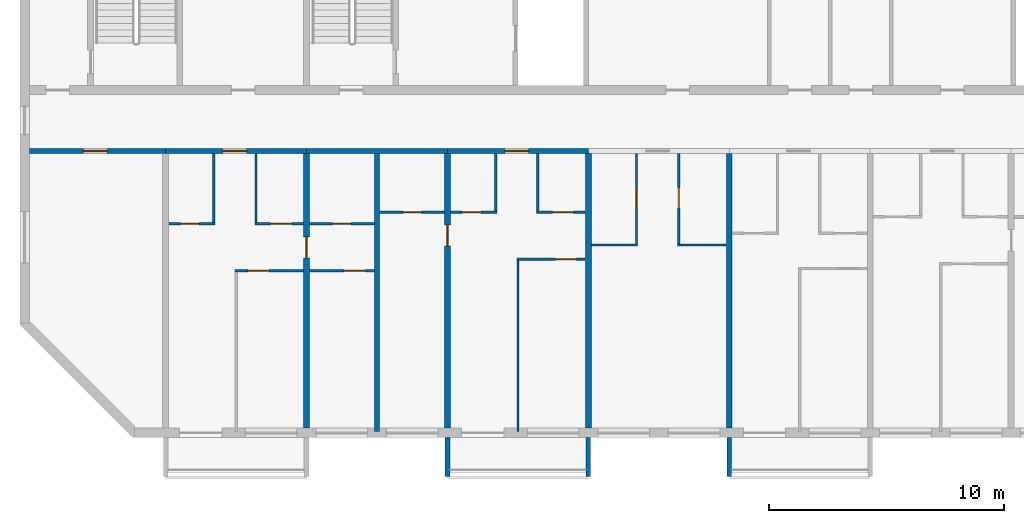
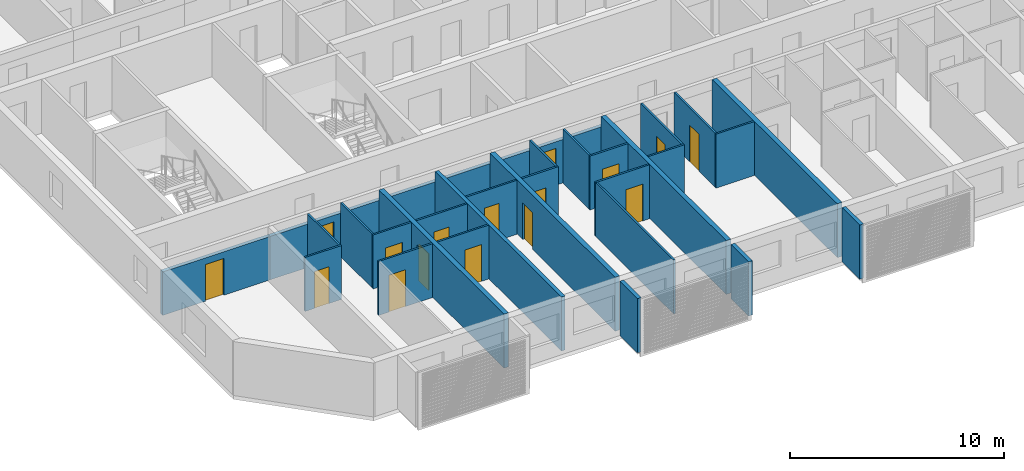
# One storey, part 2 of 27: 30 walls, 16 doors, 16 openings.
"""IFC4 building model written with IfcOpenShell, lengths in metres."""

from ifc_helpers import new_model, si_unit, direction, frame, frame_2d, origin, place, context, subcontext, project, spatial, polyline, rectangle, outline, extrude, source, transform, mapped, material, layer, layer_set, type_object, element, fill, save


model = new_model("IFC4")

# Units and contexts
model_context = context("Model", 3, precision=1e-05, world=origin(), true_north=direction((0.0, 1.0)))
body_context = subcontext(model_context, "Body", "Model", "MODEL_VIEW")
ifc_project = project(units=[si_unit("LENGTHUNIT", "METRE"), si_unit("AREAUNIT", "SQUARE_METRE"), si_unit("VOLUMEUNIT", "CUBIC_METRE"), si_unit("PLANEANGLEUNIT", "RADIAN"), si_unit("MASSUNIT", "GRAM", prefix="KILO")], contexts=[model_context])

# Site, building, storey
site_placement = place(None, origin())
site = spatial("IfcSite", under=ifc_project, at=site_placement, CompositionType="ELEMENT")
building_placement = place(site_placement, origin())
building = spatial("IfcBuilding", under=site, at=building_placement, Name="Poui Terraces", CompositionType="ELEMENT")
storey_placement = place(building_placement, frame((0.0, 0.0, 201.60009765625)))
storey = spatial("IfcBuildingStorey", under=building, at=storey_placement, Name="L56", CompositionType="ELEMENT", Elevation=201.60009765625)

# Wall, opening, door
ifc_material_1 = material(Name="Concrete 50 MPa", Category="concrete")
ifc_layer_1 = layer(ifc_material_1, 0.199951171875)
ifc_layer_set_1 = layer_set([ifc_layer_1], Name="Concrete 50 MPa")
wall_type_1 = type_object("IfcWallType", Name="CORRIDOR WALL 200 50MPa", PredefinedType="SHEAR", material=ifc_layer_set_1)
wall_1_placement = place(storey_placement, frame((18.199951171875, 12.0, 0.0), z_axis=(0.0, 0.0, 1.0), x_axis=(1.0, 0.0, 0.0)))
wall_1 = element("IfcWall", 1, at=wall_1_placement, inside=storey, type_object=wall_type_1, Name="CORRIDOR WALL LINE B BAY 1", PredefinedType="SHEAR", context=body_context, shape_type="SweptSolid", body=[
    extrude(rectangle(XDim=5.800048828125, YDim=0.199951171875, at=frame_2d((2.89990234375, 0.0))), origin(), (0.0, 0.0, 1.0), 2.47998046875),
])
opening_1_placement = place(wall_1_placement, frame((2.300048828125, 0.0, 0.0)))
opening_1 = element("IfcOpeningElement", 2, at=opening_1_placement, cuts=wall_1, Name="Opening D100", PredefinedType="OPENING", context=body_context, shape_type="SweptSolid", body=[
    extrude(rectangle(XDim=1.0, YDim=2.10009765625, at=frame_2d((0.5, 1.050048828125))), frame((0.0, 0.10986328125, 0.0), z_axis=(0.0, -1.0, 0.0), x_axis=(1.0, 0.0, 0.0)), (0.0, 0.0, 1.0), 0.219970703125),
])
ifc_material_2 = material(Name="Solid core timber door", Category="wood")
door_type_1 = type_object("IfcDoorType", Name="ACCESSIBLE INTERNAL DOOR 1000 X 2100", OperationType="NOTDEFINED", PredefinedType="DOOR", material=ifc_material_2)
door_1_placement = place(opening_1_placement, frame((1.0, 0.0, 0.0), z_axis=(0.0, 0.0, 1.0), x_axis=(-1.0, 0.0, 0.0)))
door_1 = element("IfcDoor", 3, at=door_1_placement, inside=storey, type_object=door_type_1, Name="ACCESSIBLE INTERNAL DOOR 066", OperationType="SINGLE_SWING_RIGHT", OverallHeight=2.10009765625, OverallWidth=1.0, PredefinedType="DOOR", context=body_context, shape_type="SweptSolid", body=[
    extrude(rectangle(XDim=1.0, YDim=2.10009765625, at=frame_2d((0.5, 1.050048828125))), frame((0.0, 0.02490234375, 0.0), z_axis=(0.0, -1.0, 0.0), x_axis=(1.0, 0.0, 0.0)), (0.0, 0.0, 1.0), 0.050048828125),
])
fill(opening_1, door_1)

wall_2_placement = place(storey_placement, frame((24.0, 12.0, 0.0), z_axis=(0.0, 0.0, 1.0), x_axis=(1.0, 0.0, 0.0)))
wall_2 = element("IfcWall", 4, at=wall_2_placement, inside=storey, type_object=wall_type_1, Name="CORRIDOR WALL LINE B BAY 2", PredefinedType="SHEAR", context=body_context, shape_type="SweptSolid", body=[
    extrude(rectangle(XDim=6.0, YDim=0.199951171875, at=frame_2d((3.0, 0.0))), origin(), (0.0, 0.0, 1.0), 2.47998046875),
])
opening_2_placement = place(wall_2_placement, frame((2.449951171875, 0.0, 0.0)))
opening_2 = element("IfcOpeningElement", 5, at=opening_2_placement, cuts=wall_2, Name="Opening FD30S", PredefinedType="OPENING", context=body_context, shape_type="SweptSolid", body=[
    extrude(rectangle(XDim=1.0, YDim=2.10009765625, at=frame_2d((0.5, 1.050048828125))), frame((0.0, 0.10986328125, 0.0), z_axis=(0.0, -1.0, 0.0), x_axis=(1.0, 0.0, 0.0)), (0.0, 0.0, 1.0), 0.219970703125),
])
ifc_material_3 = material(Name="Steel fire door", Category="steel")
door_type_2 = type_object("IfcDoorType", Name="FLAT ENTRANCE DOOR 1000 X 2100", OperationType="NOTDEFINED", PredefinedType="DOOR", material=ifc_material_3)
door_2_placement = place(opening_2_placement, frame((1.0, 0.0, 0.0), z_axis=(0.0, 0.0, 1.0), x_axis=(-1.0, 0.0, 0.0)))
door_2 = element("IfcDoor", 6, at=door_2_placement, inside=storey, type_object=door_type_2, Name="FLAT ENTRANCE DOOR 070", OperationType="SINGLE_SWING_RIGHT", OverallHeight=2.10009765625, OverallWidth=1.0, PredefinedType="DOOR", context=body_context, shape_type="SweptSolid", body=[
    extrude(rectangle(XDim=1.0, YDim=2.10009765625, at=frame_2d((0.5, 1.050048828125))), frame((0.0, 0.02490234375, 0.0), z_axis=(0.0, -1.0, 0.0), x_axis=(1.0, 0.0, 0.0)), (0.0, 0.0, 1.0), 0.050048828125),
])
fill(opening_2, door_2)

# Wall
wall_3_placement = place(storey_placement, frame((30.0, 12.0, 0.0), z_axis=(0.0, 0.0, 1.0), x_axis=(1.0, 0.0, 0.0)))
element("IfcWall", 7, at=wall_3_placement, inside=storey, type_object=wall_type_1, Name="CORRIDOR WALL LINE B BAY 3", PredefinedType="SHEAR", context=body_context, shape_type="SweptSolid", body=[
    extrude(rectangle(XDim=6.0, YDim=0.199951171875, at=frame_2d((3.0, 0.0))), origin(), (0.0, 0.0, 1.0), 2.47998046875),
])

# Wall, opening, door
wall_4_placement = place(storey_placement, frame((36.0, 12.0, 0.0), z_axis=(0.0, 0.0, 1.0), x_axis=(1.0, 0.0, 0.0)))
wall_4 = element("IfcWall", 8, at=wall_4_placement, inside=storey, type_object=wall_type_1, Name="CORRIDOR WALL LINE B BAY 4", PredefinedType="SHEAR", context=body_context, shape_type="SweptSolid", body=[
    extrude(rectangle(XDim=6.0, YDim=0.199951171875, at=frame_2d((3.0, 0.0))), origin(), (0.0, 0.0, 1.0), 2.47998046875),
])
opening_3_placement = place(wall_4_placement, frame((2.449951171875, 0.0, 0.0)))
opening_3 = element("IfcOpeningElement", 9, at=opening_3_placement, cuts=wall_4, Name="Opening FD30S", PredefinedType="OPENING", context=body_context, shape_type="SweptSolid", body=[
    extrude(rectangle(XDim=1.0, YDim=2.10009765625, at=frame_2d((0.5, 1.050048828125))), frame((0.0, 0.10986328125, 0.0), z_axis=(0.0, -1.0, 0.0), x_axis=(1.0, 0.0, 0.0)), (0.0, 0.0, 1.0), 0.219970703125),
])
door_3_placement = place(opening_3_placement, frame((1.0, 0.0, 0.0), z_axis=(0.0, 0.0, 1.0), x_axis=(-1.0, 0.0, 0.0)))
door_3 = element("IfcDoor", 10, at=door_3_placement, inside=storey, type_object=door_type_2, Name="FLAT ENTRANCE DOOR 077", OperationType="SINGLE_SWING_RIGHT", OverallHeight=2.10009765625, OverallWidth=1.0, PredefinedType="DOOR", context=body_context, shape_type="SweptSolid", body=[
    extrude(rectangle(XDim=1.0, YDim=2.10009765625, at=frame_2d((0.5, 1.050048828125))), frame((0.0, 0.02490234375, 0.0), z_axis=(0.0, -1.0, 0.0), x_axis=(1.0, 0.0, 0.0)), (0.0, 0.0, 1.0), 0.050048828125),
])
fill(opening_3, door_3)

ifc_layer_2 = layer(ifc_material_1, 0.25)
ifc_layer_set_2 = layer_set([ifc_layer_2], Name="Concrete 50 MPa")
wall_type_2 = type_object("IfcWallType", Name="CROSS WALL 250 50MPa", PredefinedType="SHEAR", material=ifc_layer_set_2)
wall_5_placement = place(storey_placement, frame((30.0, 0.199951171875, 0.0), z_axis=(0.0, 0.0, 1.0), x_axis=(0.0, 1.0, 0.0)))
wall_5 = element("IfcWall", 11, at=wall_5_placement, inside=storey, type_object=wall_type_2, Name="CROSS WALL LINE 6 SOUTH", PredefinedType="SHEAR", context=body_context, shape_type="SweptSolid", body=[
    extrude(rectangle(XDim=11.699951171875, YDim=0.25, at=frame_2d((5.85009765625, 0.0))), origin(), (0.0, 0.0, 1.0), 3.079833984375),
])
opening_4_placement = place(wall_5_placement, frame((7.25, 0.0, 0.0)))
opening_4 = element("IfcOpeningElement", 12, at=opening_4_placement, cuts=wall_5, Name="Opening D90", PredefinedType="OPENING", context=body_context, shape_type="SweptSolid", body=[
    extrude(rectangle(XDim=0.89990234375, YDim=2.10009765625, at=frame_2d((0.449951171875, 1.050048828125))), frame((0.0, 0.135009765625, 0.0), z_axis=(0.0, -1.0, 0.0), x_axis=(1.0, 0.0, 0.0)), (0.0, 0.0, 1.0), 0.27001953125),
])
door_type_3 = type_object("IfcDoorType", Name="INTERNAL DOOR 900 X 2100", OperationType="NOTDEFINED", PredefinedType="DOOR", material=ifc_material_2)
door_4_placement = place(opening_4_placement, origin())
door_4 = element("IfcDoor", 13, at=door_4_placement, inside=storey, type_object=door_type_3, Name="INTERNAL DOOR 073", OperationType="SINGLE_SWING_RIGHT", OverallHeight=2.10009765625, OverallWidth=0.89990234375, PredefinedType="DOOR", context=body_context, shape_type="SweptSolid", body=[
    extrude(rectangle(XDim=0.89990234375, YDim=2.10009765625, at=frame_2d((0.449951171875, 1.050048828125))), frame((0.0, 0.02490234375, 0.0), z_axis=(0.0, -1.0, 0.0), x_axis=(1.0, 0.0, 0.0)), (0.0, 0.0, 1.0), 0.050048828125),
])
fill(opening_4, door_4)

wall_6_placement = place(storey_placement, frame((36.0, 0.199951171875, 0.0), z_axis=(0.0, 0.0, 1.0), x_axis=(0.0, 1.0, 0.0)))
wall_6 = element("IfcWall", 14, at=wall_6_placement, inside=storey, type_object=wall_type_2, Name="CROSS WALL LINE 7 SOUTH", PredefinedType="SHEAR", context=body_context, shape_type="SweptSolid", body=[
    extrude(rectangle(XDim=11.699951171875, YDim=0.25, at=frame_2d((5.85009765625, 0.0))), origin(), (0.0, 0.0, 1.0), 3.079833984375),
])
opening_5_placement = place(wall_6_placement, frame((7.75, 0.0, 0.0)))
opening_5 = element("IfcOpeningElement", 15, at=opening_5_placement, cuts=wall_6, Name="Opening D90", PredefinedType="OPENING", context=body_context, shape_type="SweptSolid", body=[
    extrude(rectangle(XDim=0.89990234375, YDim=2.10009765625, at=frame_2d((0.449951171875, 1.050048828125))), frame((0.0, 0.135009765625, 0.0), z_axis=(0.0, -1.0, 0.0), x_axis=(1.0, 0.0, 0.0)), (0.0, 0.0, 1.0), 0.27001953125),
])
door_5_placement = place(opening_5_placement, origin())
door_5 = element("IfcDoor", 16, at=door_5_placement, inside=storey, type_object=door_type_3, Name="INTERNAL DOOR 075", OperationType="SINGLE_SWING_RIGHT", OverallHeight=2.10009765625, OverallWidth=0.89990234375, PredefinedType="DOOR", context=body_context, shape_type="SweptSolid", body=[
    extrude(rectangle(XDim=0.89990234375, YDim=2.10009765625, at=frame_2d((0.449951171875, 1.050048828125))), frame((0.0, 0.02490234375, 0.0), z_axis=(0.0, -1.0, 0.0), x_axis=(1.0, 0.0, 0.0)), (0.0, 0.0, 1.0), 0.050048828125),
])
fill(opening_5, door_5)

# Walls
for number, where, z_axis, x_axis, name in (
    (17, (42.0, 0.199951171875, 0.0), (0.0, 0.0, 1.0), (0.0, 1.0, 0.0), "CROSS WALL LINE 8 SOUTH"),
    (18, (48.0, 0.199951171875, 0.0), (0.0, 0.0, 1.0), (0.0, 1.0, 0.0), "CROSS WALL LINE 9 SOUTH"),
):
    element("IfcWall", number, at=place(storey_placement, frame(where, z_axis=z_axis, x_axis=x_axis)), inside=storey, type_object=wall_type_2, Name=name, PredefinedType="SHEAR", context=body_context, shape_type="SweptSolid", body=[
        extrude(rectangle(XDim=11.699951171875, YDim=0.25, at=frame_2d((5.85009765625, 0.0))), origin(), (0.0, 0.0, 1.0), 3.079833984375),
    ])

# Wall, opening, door
ifc_material_4 = material(Name="Plasterboard partition")
ifc_layer_3 = layer(ifc_material_4, 0.10009765625)
ifc_layer_set_3 = layer_set([ifc_layer_3], Name="Plasterboard partition")
wall_type_3 = type_object("IfcWallType", Name="FLAT PARTITION 100", PredefinedType="PARTITIONING", material=ifc_layer_set_3)
wall_7_placement = place(storey_placement, frame((26.949951171875, 6.89990234375, 0.0), z_axis=(0.0, 0.0, 1.0), x_axis=(1.0, 0.0, 0.0)))
wall_7 = element("IfcWall", 19, at=wall_7_placement, inside=storey, type_object=wall_type_3, Name="FLAT PARTITION 100", PredefinedType="PARTITIONING", context=body_context, shape_type="SweptSolid", body=[
    extrude(rectangle(XDim=2.9150390625, YDim=0.10009765625, at=frame_2d((1.45751953125, 0.0))), origin(), (0.0, 0.0, 1.0), 3.079833984375),
])
opening_6_placement = place(wall_7_placement, frame((0.550048828125, 0.0, 0.0)))
opening_6 = element("IfcOpeningElement", 20, at=opening_6_placement, cuts=wall_7, Name="Opening D90", PredefinedType="OPENING", context=body_context, shape_type="SweptSolid", body=[
    extrude(rectangle(XDim=0.89990234375, YDim=2.10009765625, at=frame_2d((0.449951171875, 1.050048828125))), frame((0.0, 0.06005859375, 0.0), z_axis=(0.0, -1.0, 0.0), x_axis=(1.0, 0.0, 0.0)), (0.0, 0.0, 1.0), 0.1201171875),
])
door_6_placement = place(opening_6_placement, origin())
door_6 = element("IfcDoor", 21, at=door_6_placement, inside=storey, type_object=door_type_3, Name="INTERNAL DOOR 071", OperationType="SINGLE_SWING_RIGHT", OverallHeight=2.10009765625, OverallWidth=0.89990234375, PredefinedType="DOOR", context=body_context, shape_type="SweptSolid", body=[
    extrude(rectangle(XDim=0.89990234375, YDim=2.10009765625, at=frame_2d((0.449951171875, 1.050048828125))), frame((0.0, 0.02490234375, 0.0), z_axis=(0.0, -1.0, 0.0), x_axis=(1.0, 0.0, 0.0)), (0.0, 0.0, 1.0), 0.050048828125),
])
fill(opening_6, door_6)

wall_8_placement = place(storey_placement, frame((30.135009765625, 6.89990234375, 0.0), z_axis=(0.0, 0.0, 1.0), x_axis=(1.0, 0.0, 0.0)))
wall_8 = element("IfcWall", 22, at=wall_8_placement, inside=storey, type_object=wall_type_3, Name="FLAT PARTITION 100", PredefinedType="PARTITIONING", context=body_context, shape_type="SweptSolid", body=[
    extrude(rectangle(XDim=2.764892578125, YDim=0.10009765625, at=frame_2d((1.38232421875, 0.0))), origin(), (0.0, 0.0, 1.0), 3.079833984375),
])
opening_7_placement = place(wall_8_placement, frame((1.465087890625, 0.0, 0.0)))
opening_7 = element("IfcOpeningElement", 23, at=opening_7_placement, cuts=wall_8, Name="Opening D90", PredefinedType="OPENING", context=body_context, shape_type="SweptSolid", body=[
    extrude(rectangle(XDim=0.89990234375, YDim=2.10009765625, at=frame_2d((0.449951171875, 1.050048828125))), frame((0.0, 0.06005859375, 0.0), z_axis=(0.0, -1.0, 0.0), x_axis=(1.0, 0.0, 0.0)), (0.0, 0.0, 1.0), 0.1201171875),
])
door_7_placement = place(opening_7_placement, frame((0.89990234375, 0.0, 0.0), z_axis=(0.0, 0.0, 1.0), x_axis=(-1.0, 0.0, 0.0)))
door_7 = element("IfcDoor", 24, at=door_7_placement, inside=storey, type_object=door_type_3, Name="INTERNAL DOOR 068", OperationType="SINGLE_SWING_LEFT", OverallHeight=2.10009765625, OverallWidth=0.89990234375, PredefinedType="DOOR", context=body_context, shape_type="SweptSolid", body=[
    extrude(rectangle(XDim=0.89990234375, YDim=2.10009765625, at=frame_2d((0.449951171875, 1.050048828125))), frame((0.0, 0.02490234375, 0.0), z_axis=(0.0, -1.0, 0.0), x_axis=(1.0, 0.0, 0.0)), (0.0, 0.0, 1.0), 0.050048828125),
])
fill(opening_7, door_7)

wall_9_placement = place(storey_placement, frame((38.949951171875, 7.39990234375, 0.0), z_axis=(0.0, 0.0, 1.0), x_axis=(1.0, 0.0, 0.0)))
wall_9 = element("IfcWall", 25, at=wall_9_placement, inside=storey, type_object=wall_type_3, Name="FLAT PARTITION 100", PredefinedType="PARTITIONING", context=body_context, shape_type="SweptSolid", body=[
    extrude(rectangle(XDim=2.9150390625, YDim=0.10009765625, at=frame_2d((1.45751953125, 0.0))), origin(), (0.0, 0.0, 1.0), 3.079833984375),
])
opening_8_placement = place(wall_9_placement, frame((1.64990234375, 0.0, 0.0)))
opening_8 = element("IfcOpeningElement", 26, at=opening_8_placement, cuts=wall_9, Name="Opening D90", PredefinedType="OPENING", context=body_context, shape_type="SweptSolid", body=[
    extrude(rectangle(XDim=0.89990234375, YDim=2.10009765625, at=frame_2d((0.449951171875, 1.050048828125))), frame((0.0, 0.06005859375, 0.0), z_axis=(0.0, -1.0, 0.0), x_axis=(1.0, 0.0, 0.0)), (0.0, 0.0, 1.0), 0.1201171875),
])
door_8_placement = place(opening_8_placement, origin())
door_8 = element("IfcDoor", 27, at=door_8_placement, inside=storey, type_object=door_type_3, Name="INTERNAL DOOR 079", OperationType="SINGLE_SWING_LEFT", OverallHeight=2.10009765625, OverallWidth=0.89990234375, PredefinedType="DOOR", context=body_context, shape_type="SweptSolid", body=[
    extrude(rectangle(XDim=0.89990234375, YDim=2.10009765625, at=frame_2d((0.449951171875, 1.050048828125))), frame((0.0, 0.02490234375, 0.0), z_axis=(0.0, -1.0, 0.0), x_axis=(1.0, 0.0, 0.0)), (0.0, 0.0, 1.0), 0.050048828125),
])
fill(opening_8, door_8)

# Walls
wall_10_placement = place(storey_placement, frame((42.135009765625, 8.0, 0.0), z_axis=(0.0, 0.0, 1.0), x_axis=(1.0, 0.0, 0.0)))
element("IfcWall", 28, at=wall_10_placement, inside=storey, type_object=wall_type_3, Name="FLAT PARTITION 100", PredefinedType="PARTITIONING", context=body_context, shape_type="SweptSolid", body=[
    extrude(rectangle(XDim=1.965087890625, YDim=0.10009765625, at=frame_2d((0.982421875, 0.0))), origin(), (0.0, 0.0, 1.0), 3.079833984375),
])
wall_11_placement = place(storey_placement, frame((45.800048828125, 8.0, 0.0), z_axis=(0.0, 0.0, 1.0), x_axis=(1.0, 0.0, 0.0)))
element("IfcWall", 29, at=wall_11_placement, inside=storey, type_object=wall_type_3, Name="FLAT PARTITION 100", PredefinedType="PARTITIONING", context=body_context, shape_type="SweptSolid", body=[
    extrude(rectangle(XDim=2.06494140625, YDim=0.10009765625, at=frame_2d((1.032470703125, 0.0))), origin(), (0.0, 0.0, 1.0), 3.079833984375),
])

# Wall, opening, door
wall_12_placement = place(storey_placement, frame((24.135009765625, 8.89990234375, 0.0), z_axis=(0.0, 0.0, 1.0), x_axis=(1.0, 0.0, 0.0)))
wall_12 = element("IfcWall", 30, at=wall_12_placement, inside=storey, type_object=wall_type_3, Name="FLAT PARTITION 100", PredefinedType="PARTITIONING", context=body_context, shape_type="SweptSolid", body=[
    extrude(rectangle(XDim=1.965087890625, YDim=0.10009765625, at=frame_2d((0.982421875, 0.0))), origin(), (0.0, 0.0, 1.0), 3.079833984375),
])
opening_9_placement = place(wall_12_placement, frame((0.489990234375, 0.0, 0.0)))
opening_9 = element("IfcOpeningElement", 31, at=opening_9_placement, cuts=wall_12, Name="Opening D80", PredefinedType="OPENING", context=body_context, shape_type="SweptSolid", body=[
    extrude(rectangle(XDim=0.800048828125, YDim=2.10009765625, at=frame_2d((0.39990234375, 1.050048828125))), frame((0.0, 0.06005859375, 0.0), z_axis=(0.0, -1.0, 0.0), x_axis=(1.0, 0.0, 0.0)), (0.0, 0.0, 1.0), 0.1201171875),
])
door_type_4 = type_object("IfcDoorType", Name="BATHROOM, LAUNDRY AND STORE DOOR 800 X 2100", OperationType="NOTDEFINED", PredefinedType="DOOR", material=ifc_material_2)
door_9_placement = place(opening_9_placement, origin())
door_9 = element("IfcDoor", 32, at=door_9_placement, inside=storey, type_object=door_type_4, Name="BATHROOM, LAUNDRY AND STORE DOOR 069", OperationType="SINGLE_SWING_RIGHT", OverallHeight=2.10009765625, OverallWidth=0.800048828125, PredefinedType="DOOR", context=body_context, shape_type="SweptSolid", body=[
    extrude(rectangle(XDim=0.800048828125, YDim=2.10009765625, at=frame_2d((0.39990234375, 1.050048828125))), frame((0.0, 0.02490234375, 0.0), z_axis=(0.0, -1.0, 0.0), x_axis=(1.0, 0.0, 0.0)), (0.0, 0.0, 1.0), 0.050048828125),
])
fill(opening_9, door_9)

wall_13_placement = place(storey_placement, frame((27.800048828125, 8.89990234375, 0.0), z_axis=(0.0, 0.0, 1.0), x_axis=(1.0, 0.0, 0.0)))
wall_13 = element("IfcWall", 33, at=wall_13_placement, inside=storey, type_object=wall_type_3, Name="FLAT PARTITION 100", PredefinedType="PARTITIONING", context=body_context, shape_type="SweptSolid", body=[
    extrude(rectangle(XDim=2.06494140625, YDim=0.10009765625, at=frame_2d((1.032470703125, 0.0))), origin(), (0.0, 0.0, 1.0), 3.079833984375),
])
opening_10_placement = place(wall_13_placement, frame((0.675048828125, 0.0, 0.0)))
opening_10 = element("IfcOpeningElement", 34, at=opening_10_placement, cuts=wall_13, Name="Opening D90", PredefinedType="OPENING", context=body_context, shape_type="SweptSolid", body=[
    extrude(rectangle(XDim=0.89990234375, YDim=2.10009765625, at=frame_2d((0.449951171875, 1.050048828125))), frame((0.0, 0.06005859375, 0.0), z_axis=(0.0, -1.0, 0.0), x_axis=(1.0, 0.0, 0.0)), (0.0, 0.0, 1.0), 0.1201171875),
])
door_10_placement = place(opening_10_placement, origin())
door_10 = element("IfcDoor", 35, at=door_10_placement, inside=storey, type_object=door_type_3, Name="INTERNAL DOOR 072", OperationType="SINGLE_SWING_LEFT", OverallHeight=2.10009765625, OverallWidth=0.89990234375, PredefinedType="DOOR", context=body_context, shape_type="SweptSolid", body=[
    extrude(rectangle(XDim=0.89990234375, YDim=2.10009765625, at=frame_2d((0.449951171875, 1.050048828125))), frame((0.0, 0.02490234375, 0.0), z_axis=(0.0, -1.0, 0.0), x_axis=(1.0, 0.0, 0.0)), (0.0, 0.0, 1.0), 0.050048828125),
])
fill(opening_10, door_10)

wall_14_placement = place(storey_placement, frame((30.135009765625, 8.89990234375, 0.0), z_axis=(0.0, 0.0, 1.0), x_axis=(1.0, 0.0, 0.0)))
wall_14 = element("IfcWall", 36, at=wall_14_placement, inside=storey, type_object=wall_type_3, Name="FLAT PARTITION 100", PredefinedType="PARTITIONING", context=body_context, shape_type="SweptSolid", body=[
    extrude(rectangle(XDim=2.764892578125, YDim=0.10009765625, at=frame_2d((1.38232421875, 0.0))), origin(), (0.0, 0.0, 1.0), 3.079833984375),
])
opening_11_placement = place(wall_14_placement, frame((0.965087890625, 0.0, 0.0)))
opening_11 = element("IfcOpeningElement", 37, at=opening_11_placement, cuts=wall_14, Name="Opening D80", PredefinedType="OPENING", context=body_context, shape_type="SweptSolid", body=[
    extrude(rectangle(XDim=0.800048828125, YDim=2.10009765625, at=frame_2d((0.39990234375, 1.050048828125))), frame((0.0, 0.06005859375, 0.0), z_axis=(0.0, -1.0, 0.0), x_axis=(1.0, 0.0, 0.0)), (0.0, 0.0, 1.0), 0.1201171875),
])
door_11_placement = place(opening_11_placement, origin())
door_11 = element("IfcDoor", 38, at=door_11_placement, inside=storey, type_object=door_type_4, Name="BATHROOM, LAUNDRY AND STORE DOOR 067", OperationType="SINGLE_SWING_LEFT", OverallHeight=2.10009765625, OverallWidth=0.800048828125, PredefinedType="DOOR", context=body_context, shape_type="SweptSolid", body=[
    extrude(rectangle(XDim=0.800048828125, YDim=2.10009765625, at=frame_2d((0.39990234375, 1.050048828125))), frame((0.0, 0.02490234375, 0.0), z_axis=(0.0, -1.0, 0.0), x_axis=(1.0, 0.0, 0.0)), (0.0, 0.0, 1.0), 0.050048828125),
])
fill(opening_11, door_11)

wall_15_placement = place(storey_placement, frame((33.10009765625, 9.39990234375, 0.0), z_axis=(0.0, 0.0, 1.0), x_axis=(1.0, 0.0, 0.0)))
wall_15 = element("IfcWall", 39, at=wall_15_placement, inside=storey, type_object=wall_type_3, Name="FLAT PARTITION 100", PredefinedType="PARTITIONING", context=body_context, shape_type="SweptSolid", body=[
    extrude(rectangle(XDim=2.764892578125, YDim=0.10009765625, at=frame_2d((1.38232421875, 0.0))), origin(), (0.0, 0.0, 1.0), 3.079833984375),
])
opening_12_placement = place(wall_15_placement, frame((1.0, 0.0, 0.0)))
opening_12 = element("IfcOpeningElement", 40, at=opening_12_placement, cuts=wall_15, Name="Opening D80", PredefinedType="OPENING", context=body_context, shape_type="SweptSolid", body=[
    extrude(rectangle(XDim=0.800048828125, YDim=2.10009765625, at=frame_2d((0.39990234375, 1.050048828125))), frame((0.0, 0.06005859375, 0.0), z_axis=(0.0, -1.0, 0.0), x_axis=(1.0, 0.0, 0.0)), (0.0, 0.0, 1.0), 0.1201171875),
])
door_12_placement = place(opening_12_placement, origin())
door_12 = element("IfcDoor", 41, at=door_12_placement, inside=storey, type_object=door_type_4, Name="BATHROOM, LAUNDRY AND STORE DOOR 074", OperationType="SINGLE_SWING_LEFT", OverallHeight=2.10009765625, OverallWidth=0.800048828125, PredefinedType="DOOR", context=body_context, shape_type="SweptSolid", body=[
    extrude(rectangle(XDim=0.800048828125, YDim=2.10009765625, at=frame_2d((0.39990234375, 1.050048828125))), frame((0.0, 0.02490234375, 0.0), z_axis=(0.0, -1.0, 0.0), x_axis=(1.0, 0.0, 0.0)), (0.0, 0.0, 1.0), 0.050048828125),
])
fill(opening_12, door_12)

wall_16_placement = place(storey_placement, frame((36.135009765625, 9.39990234375, 0.0), z_axis=(0.0, 0.0, 1.0), x_axis=(1.0, 0.0, 0.0)))
wall_16 = element("IfcWall", 42, at=wall_16_placement, inside=storey, type_object=wall_type_3, Name="FLAT PARTITION 100", PredefinedType="PARTITIONING", context=body_context, shape_type="SweptSolid", body=[
    extrude(rectangle(XDim=1.965087890625, YDim=0.10009765625, at=frame_2d((0.982421875, 0.0))), origin(), (0.0, 0.0, 1.0), 3.079833984375),
])
opening_13_placement = place(wall_16_placement, frame((0.489990234375, 0.0, 0.0)))
opening_13 = element("IfcOpeningElement", 43, at=opening_13_placement, cuts=wall_16, Name="Opening D80", PredefinedType="OPENING", context=body_context, shape_type="SweptSolid", body=[
    extrude(rectangle(XDim=0.800048828125, YDim=2.10009765625, at=frame_2d((0.39990234375, 1.050048828125))), frame((0.0, 0.06005859375, 0.0), z_axis=(0.0, -1.0, 0.0), x_axis=(1.0, 0.0, 0.0)), (0.0, 0.0, 1.0), 0.1201171875),
])
door_13_placement = place(opening_13_placement, origin())
door_13 = element("IfcDoor", 44, at=door_13_placement, inside=storey, type_object=door_type_4, Name="BATHROOM, LAUNDRY AND STORE DOOR 076", OperationType="SINGLE_SWING_LEFT", OverallHeight=2.10009765625, OverallWidth=0.800048828125, PredefinedType="DOOR", context=body_context, shape_type="SweptSolid", body=[
    extrude(rectangle(XDim=0.800048828125, YDim=2.10009765625, at=frame_2d((0.39990234375, 1.050048828125))), frame((0.0, 0.02490234375, 0.0), z_axis=(0.0, -1.0, 0.0), x_axis=(1.0, 0.0, 0.0)), (0.0, 0.0, 1.0), 0.050048828125),
])
fill(opening_13, door_13)

wall_17_placement = place(storey_placement, frame((39.800048828125, 9.39990234375, 0.0), z_axis=(0.0, 0.0, 1.0), x_axis=(1.0, 0.0, 0.0)))
wall_17 = element("IfcWall", 45, at=wall_17_placement, inside=storey, type_object=wall_type_3, Name="FLAT PARTITION 100", PredefinedType="PARTITIONING", context=body_context, shape_type="SweptSolid", body=[
    extrude(rectangle(XDim=2.06494140625, YDim=0.10009765625, at=frame_2d((1.032470703125, 0.0))), origin(), (0.0, 0.0, 1.0), 3.079833984375),
])
opening_14_placement = place(wall_17_placement, frame((0.675048828125, 0.0, 0.0)))
opening_14 = element("IfcOpeningElement", 46, at=opening_14_placement, cuts=wall_17, Name="Opening D90", PredefinedType="OPENING", context=body_context, shape_type="SweptSolid", body=[
    extrude(rectangle(XDim=0.89990234375, YDim=2.10009765625, at=frame_2d((0.449951171875, 1.050048828125))), frame((0.0, 0.06005859375, 0.0), z_axis=(0.0, -1.0, 0.0), x_axis=(1.0, 0.0, 0.0)), (0.0, 0.0, 1.0), 0.1201171875),
])
door_14_placement = place(opening_14_placement, origin())
door_14 = element("IfcDoor", 47, at=door_14_placement, inside=storey, type_object=door_type_3, Name="INTERNAL DOOR 078", OperationType="SINGLE_SWING_RIGHT", OverallHeight=2.10009765625, OverallWidth=0.89990234375, PredefinedType="DOOR", context=body_context, shape_type="SweptSolid", body=[
    extrude(rectangle(XDim=0.89990234375, YDim=2.10009765625, at=frame_2d((0.449951171875, 1.050048828125))), frame((0.0, 0.02490234375, 0.0), z_axis=(0.0, -1.0, 0.0), x_axis=(1.0, 0.0, 0.0)), (0.0, 0.0, 1.0), 0.050048828125),
])
fill(opening_14, door_14)

# Walls
for number, where, z_axis, x_axis, name in (
    (48, (26.050048828125, 8.949951171875, 0.0), (0.0, 0.0, 1.0), (0.0, 1.0, 0.0), "FLAT PARTITION 100"),
    (49, (27.85009765625, 8.949951171875, 0.0), (0.0, 0.0, 1.0), (0.0, 1.0, 0.0), "FLAT PARTITION 100"),
):
    element("IfcWall", number, at=place(storey_placement, frame(where, z_axis=z_axis, x_axis=x_axis)), inside=storey, type_object=wall_type_3, Name=name, PredefinedType="PARTITIONING", context=body_context, shape_type="SweptSolid", body=[
        extrude(rectangle(XDim=2.93994140625, YDim=0.10009765625, at=frame_2d((1.469970703125, 0.0))), origin(), (0.0, 0.0, 1.0), 3.079833984375),
    ])
wall_18_placement = place(storey_placement, frame((38.050048828125, 9.449951171875, 0.0), z_axis=(0.0, 0.0, 1.0), x_axis=(0.0, 1.0, 0.0)))
element("IfcWall", 50, at=wall_18_placement, inside=storey, type_object=wall_type_3, Name="FLAT PARTITION 100", PredefinedType="PARTITIONING", context=body_context, shape_type="SweptSolid", body=[
    extrude(rectangle(XDim=2.43994140625, YDim=0.10009765625, at=frame_2d((1.219970703125, 0.0))), origin(), (0.0, 0.0, 1.0), 3.079833984375),
])
wall_19_placement = place(storey_placement, frame((39.0, 0.06005859375, 0.0), z_axis=(0.0, 0.0, 1.0), x_axis=(0.0, 1.0, 0.0)))
element("IfcWall", 51, at=wall_19_placement, inside=storey, type_object=wall_type_3, Name="FLAT PARTITION 100", PredefinedType="PARTITIONING", context=body_context, shape_type="SweptSolid", body=[
    extrude(rectangle(XDim=7.2900390625, YDim=0.10009765625, at=frame_2d((3.64501953125, 0.0))), origin(), (0.0, 0.0, 1.0), 3.079833984375),
])
wall_20_placement = place(storey_placement, frame((39.85009765625, 9.449951171875, 0.0), z_axis=(0.0, 0.0, 1.0), x_axis=(0.0, 1.0, 0.0)))
element("IfcWall", 52, at=wall_20_placement, inside=storey, type_object=wall_type_3, Name="FLAT PARTITION 100", PredefinedType="PARTITIONING", context=body_context, shape_type="SweptSolid", body=[
    extrude(rectangle(XDim=2.43994140625, YDim=0.10009765625, at=frame_2d((1.219970703125, 0.0))), origin(), (0.0, 0.0, 1.0), 3.079833984375),
])

# Wall, opening, door
wall_21_placement = place(storey_placement, frame((44.050048828125, 8.050048828125, 0.0), z_axis=(0.0, 0.0, 1.0), x_axis=(0.0, 1.0, 0.0)))
wall_21 = element("IfcWall", 53, at=wall_21_placement, inside=storey, type_object=wall_type_3, Name="FLAT PARTITION 100", PredefinedType="PARTITIONING", context=body_context, shape_type="SweptSolid", body=[
    extrude(rectangle(XDim=3.83984375, YDim=0.10009765625, at=frame_2d((1.919921875, 0.0))), origin(), (0.0, 0.0, 1.0), 3.079833984375),
])
opening_15_placement = place(wall_21_placement, frame((1.550048828125, 0.0, 0.0)))
opening_15 = element("IfcOpeningElement", 54, at=opening_15_placement, cuts=wall_21, Name="Opening D80", PredefinedType="OPENING", context=body_context, shape_type="SweptSolid", body=[
    extrude(rectangle(XDim=0.800048828125, YDim=2.10009765625, at=frame_2d((0.39990234375, 1.050048828125))), frame((0.0, 0.06005859375, 0.0), z_axis=(0.0, -1.0, 0.0), x_axis=(1.0, 0.0, 0.0)), (0.0, 0.0, 1.0), 0.1201171875),
])
door_15_placement = place(opening_15_placement, origin())
door_15 = element("IfcDoor", 55, at=door_15_placement, inside=storey, type_object=door_type_4, Name="BATHROOM, LAUNDRY AND STORE DOOR 080", OperationType="SINGLE_SWING_LEFT", OverallHeight=2.10009765625, OverallWidth=0.800048828125, PredefinedType="DOOR", context=body_context, shape_type="SweptSolid", body=[
    extrude(rectangle(XDim=0.800048828125, YDim=2.10009765625, at=frame_2d((0.39990234375, 1.050048828125))), frame((0.0, 0.02490234375, 0.0), z_axis=(0.0, -1.0, 0.0), x_axis=(1.0, 0.0, 0.0)), (0.0, 0.0, 1.0), 0.050048828125),
])
fill(opening_15, door_15)

wall_22_placement = place(storey_placement, frame((45.85009765625, 8.050048828125, 0.0), z_axis=(0.0, 0.0, 1.0), x_axis=(0.0, 1.0, 0.0)))
wall_22 = element("IfcWall", 56, at=wall_22_placement, inside=storey, type_object=wall_type_3, Name="FLAT PARTITION 100", PredefinedType="PARTITIONING", context=body_context, shape_type="SweptSolid", body=[
    extrude(rectangle(XDim=3.83984375, YDim=0.10009765625, at=frame_2d((1.919921875, 0.0))), origin(), (0.0, 0.0, 1.0), 3.079833984375),
])
opening_16_placement = place(wall_22_placement, frame((1.5, 0.0, 0.0)))
opening_16 = element("IfcOpeningElement", 57, at=opening_16_placement, cuts=wall_22, Name="Opening D90", PredefinedType="OPENING", context=body_context, shape_type="SweptSolid", body=[
    extrude(rectangle(XDim=0.89990234375, YDim=2.10009765625, at=frame_2d((0.449951171875, 1.050048828125))), frame((0.0, 0.06005859375, 0.0), z_axis=(0.0, -1.0, 0.0), x_axis=(1.0, 0.0, 0.0)), (0.0, 0.0, 1.0), 0.1201171875),
])
door_16_placement = place(opening_16_placement, frame((0.89990234375, 0.0, 0.0), z_axis=(0.0, 0.0, 1.0), x_axis=(-1.0, 0.0, 0.0)))
door_16 = element("IfcDoor", 58, at=door_16_placement, inside=storey, type_object=door_type_3, Name="INTERNAL DOOR 082", OperationType="SINGLE_SWING_LEFT", OverallHeight=2.10009765625, OverallWidth=0.89990234375, PredefinedType="DOOR", context=body_context, shape_type="SweptSolid", body=[
    extrude(rectangle(XDim=0.89990234375, YDim=2.10009765625, at=frame_2d((0.449951171875, 1.050048828125))), frame((0.0, 0.02490234375, 0.0), z_axis=(0.0, -1.0, 0.0), x_axis=(1.0, 0.0, 0.0)), (0.0, 0.0, 1.0), 0.050048828125),
])
fill(opening_16, door_16)

# Walls
ifc_material_5 = material(Name="Fire-rated masonry wall", Category="masonry")
ifc_layer_4 = layer(ifc_material_5, 0.199951171875)
ifc_layer_set_4 = layer_set([ifc_layer_4], Name="Fire-rated masonry wall")
wall_type_4 = type_object("IfcWallType", Name="FLAT PARTY WALL 200", PredefinedType="PARTITIONING", material=ifc_layer_set_4)
wall_23_placement = place(storey_placement, frame((33.0, 0.06005859375, 0.0), z_axis=(0.0, 0.0, 1.0), x_axis=(0.0, 1.0, 0.0)))
element("IfcWall", 59, at=wall_23_placement, inside=storey, type_object=wall_type_4, Name="FLAT PARTY WALL 200", PredefinedType="PARTITIONING", context=body_context, shape_type="SweptSolid", body=[
    extrude(rectangle(XDim=11.829833984375, YDim=0.199951171875, at=frame_2d((5.9150390625, 0.0))), origin(), (0.0, 0.0, 1.0), 3.079833984375),
])
ifc_material_6 = material(Name="Precast concrete 40 MPa", Category="concrete")
ifc_layer_5 = layer(ifc_material_6, 0.199951171875)
ifc_layer_set_5 = layer_set([ifc_layer_5], Name="Precast concrete 40 MPa")
wall_type_5 = type_object("IfcWallType", Name="REAR FIN 200", PredefinedType="STANDARD", material=ifc_layer_set_5)
shared_shape = source(origin(), body_context, "Body", "SweptSolid", [
    extrude(outline(polyline([(0.0, 0.0), (0.2001953125, 0.0), (0.2001953125, 1.650146484375), (0.0, 1.650146484375), (0.0, 0.0)])), origin(), (0.0, 0.0, 1.0), 3.099853515625),
])
for number, where, name in (
    (60, (35.89990234375, -1.85009765625, 0.0), "REAR FIN"),
    (61, (41.89990234375, -1.85009765625, 0.0), "REAR FIN"),
    (62, (47.89990234375, -1.85009765625, 0.0), "REAR FIN"),
):
    element("IfcWall", number, at=place(storey_placement, frame(where)), inside=storey, type_object=wall_type_5, Name=name, PredefinedType="STANDARD", context=body_context, shape_type="MappedRepresentation", body=[
        mapped(shared_shape, transform((0.0, 0.0, 0.0))),
    ])

save(model, "model.ifc")
